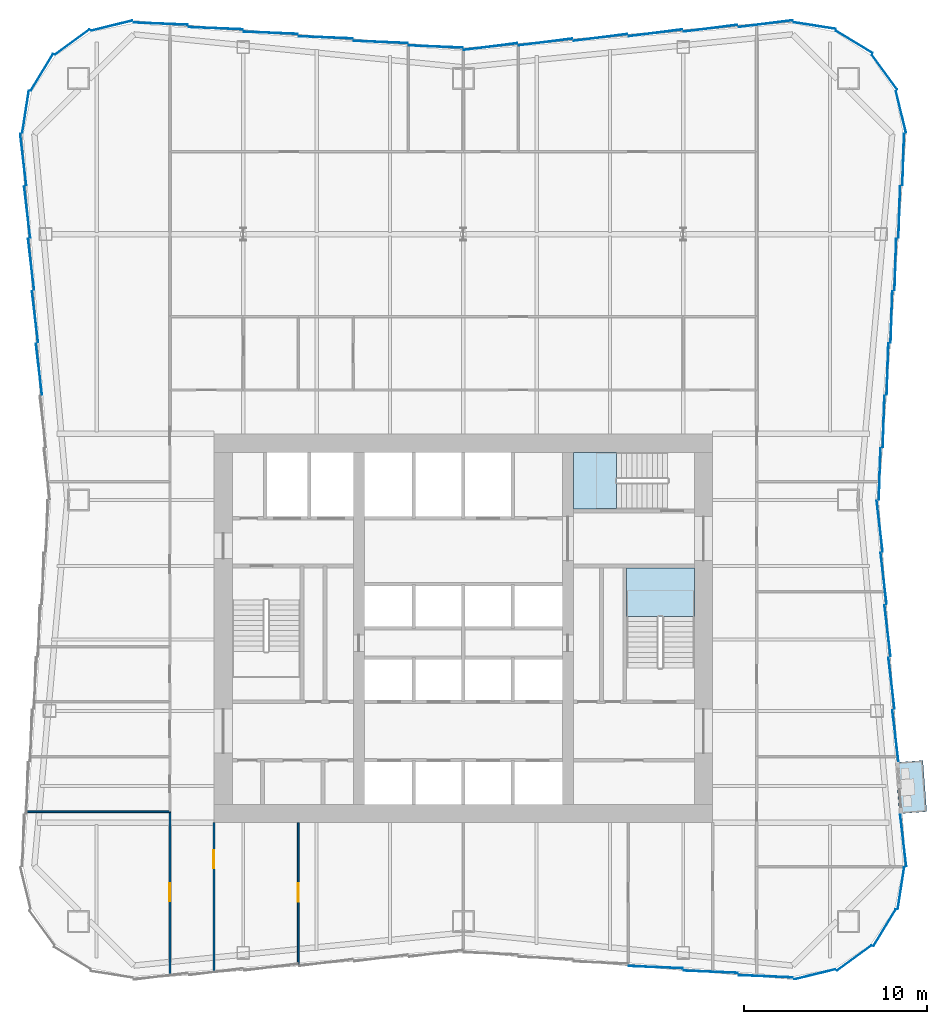
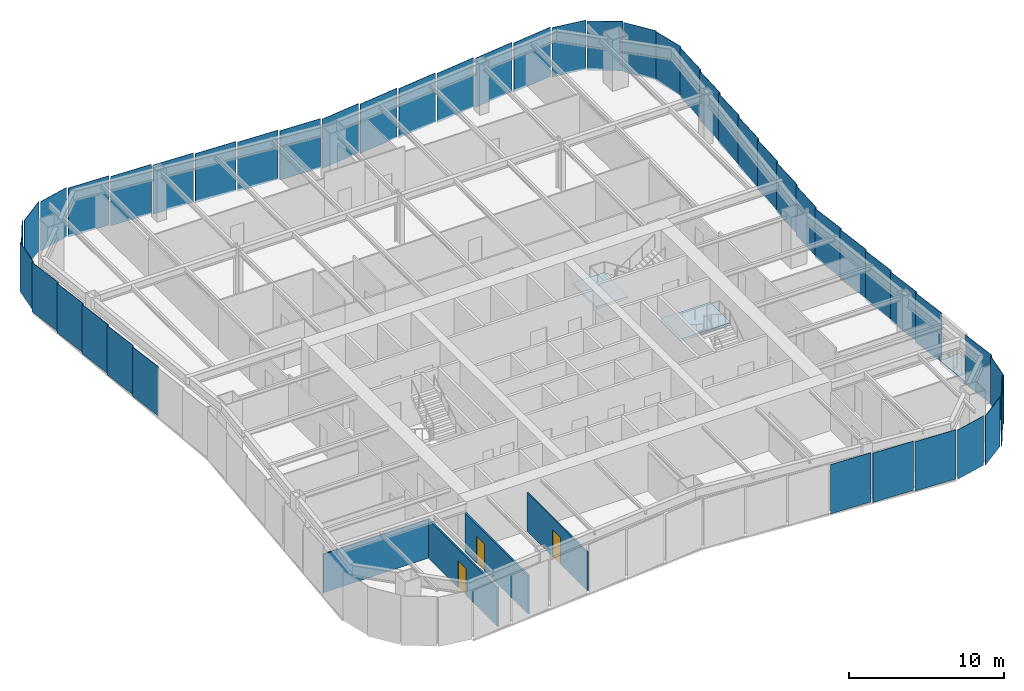
# One storey, part 3 of 9: 45 plates, 4 walls, 3 doors, 3 slabs, 3 openings, 9 elements without a shape of their own.
"""IFC4 building model written with IfcOpenShell, lengths in metres."""

from ifc_helpers import new_model, si_unit, direction, frame, frame_2d, origin, origin_2d, place, context, subcontext, project, spatial, polyline, rectangle, outline, extrude, material, layer, layer_set, type_object, element, fill, aggregate, save


model = new_model("IFC4")

# Units and contexts
model_context = context("Model", 3, precision=1e-05, world=origin(), true_north=direction((0.0, 1.0)))
body_context = subcontext(model_context, "Body", "Model", "MODEL_VIEW")
ifc_project = project(units=[si_unit("LENGTHUNIT", "METRE"), si_unit("AREAUNIT", "SQUARE_METRE"), si_unit("VOLUMEUNIT", "CUBIC_METRE"), si_unit("PLANEANGLEUNIT", "RADIAN"), si_unit("MASSUNIT", "GRAM", prefix="KILO")], contexts=[model_context])

# Site, building, storey
site_placement = place(None, origin())
site = spatial("IfcSite", under=ifc_project, at=site_placement, CompositionType="ELEMENT")
building_placement = place(site_placement, origin())
building = spatial("IfcBuilding", under=site, at=building_placement, Name="Verdant Reach Tower", CompositionType="ELEMENT")
storey_placement = place(building_placement, frame((0.0, 0.0, 130.0)))
storey = spatial("IfcBuildingStorey", under=building, at=storey_placement, Name="L29", CompositionType="ELEMENT", Elevation=130.0)

# Stair, slab
ifc_material_1 = material(Name="Concrete C40/50", Category="concrete")
stair_type = type_object("IfcStairType", Name="CO-STAIR", PredefinedType="HALF_TURN_STAIR", material=ifc_material_1)
stair_1_placement = place(storey_placement, origin())
stair_1 = element("IfcStair", 1, at=stair_1_placement, inside=storey, type_object=stair_type, Name="L29 Exit stair 2", PredefinedType="HALF_TURN_STAIR")
ifc_layer_1 = layer(ifc_material_1, 0.199951171875)
ifc_layer_set_1 = layer_set([ifc_layer_1], Name="CO-STAIR-LANDING")
slab_type_1 = type_object("IfcSlabType", Name="CO-STAIR-LANDING", PredefinedType="LANDING", material=ifc_layer_set_1)
slab_1_placement = place(storey_placement, frame((0.0, 0.0, 1.800048828125)))
slab_1 = element("IfcSlab", 2, at=slab_1_placement, type_object=slab_type_1, Name="ST-2 landing 1", PredefinedType="LANDING", context=body_context, shape_type="SweptSolid", body=[
    extrude(outline(polyline([(12.60009765625, 28.64990234375), (12.60009765625, 31.300048828125), (8.89990234375, 31.300048828125), (8.89990234375, 28.64990234375), (12.60009765625, 28.64990234375)])), origin(), (0.0, 0.0, 1.0), 0.199951171875),
])
aggregate(stair_1, [slab_1])

stair_2_placement = place(storey_placement, origin())
stair_2 = element("IfcStair", 3, at=stair_2_placement, inside=storey, type_object=stair_type, Name="L29 Exit stair 3", PredefinedType="HALF_TURN_STAIR")
slab_2_placement = place(storey_placement, frame((0.0, 0.0, 1.800048828125)))
slab_2 = element("IfcSlab", 4, at=slab_2_placement, type_object=slab_type_1, Name="ST-3 landing 1", PredefinedType="LANDING", context=body_context, shape_type="SweptSolid", body=[
    extrude(outline(polyline([(8.35009765625, 37.60009765625), (6.0, 37.60009765625), (6.0, 34.5), (8.35009765625, 34.5), (8.35009765625, 37.60009765625)])), origin(), (0.0, 0.0, 1.0), 0.199951171875),
])
aggregate(stair_2, [slab_2])

# Slab
ifc_material_2 = material(Name="Concrete C35/45", Category="concrete")
ifc_layer_2 = layer(ifc_material_2, 0.25)
ifc_layer_set_2 = layer_set([ifc_layer_2], Name="EN-BALCONY SLAB")
slab_type_2 = type_object("IfcSlabType", Name="EN-BALCONY SLAB", PredefinedType="FLOOR", material=ifc_layer_set_2)
slab_3_placement = place(storey_placement, frame((0.0, 0.0, -0.25)))
element("IfcSlab", 5, at=slab_3_placement, inside=storey, type_object=slab_type_2, Name="Balcony slab 1, L29", PredefinedType="FLOOR", context=body_context, shape_type="SweptSolid", body=[
    extrude(outline(polyline([(23.783203125, 17.88916015625), (23.57373046875, 20.682373046875), (25.069580078125, 20.794677734375), (25.279052734375, 18.001220703125), (23.783203125, 17.88916015625)])), origin(), (0.0, 0.0, 1.0), 0.25),
])

# Curtain wall, plate
ifc_material_3 = material(Name="Anodised aluminium", Category="aluminium")
curtain_wall_type = type_object("IfcCurtainWallType", Name="EN-CW SYSTEM Z2", PredefinedType="NOTDEFINED", material=ifc_material_3)
curtain_wall_1_placement = place(storey_placement, origin())
curtain_wall_1 = element("IfcCurtainWall", 6, at=curtain_wall_1_placement, inside=storey, type_object=curtain_wall_type, Name="Curtain wall south-east corner, L29", PredefinedType="NOTDEFINED")
ifc_material_4 = material(Name="Tinted glass with champagne spandrel", Category="glass")
ifc_layer_3 = layer(ifc_material_4, 0.031982421875)
ifc_layer_set_3 = layer_set([ifc_layer_3], Name="EN-PANEL CHAMPAGNE")
plate_type_1 = type_object("IfcPlateType", Name="EN-PANEL CHAMPAGNE", PredefinedType="CURTAIN_PANEL", material=ifc_layer_set_3)
plate_1_placement = place(storey_placement, frame((23.87353515625, 13.828369140625, -0.22607421875), z_axis=(0.0, 0.0, 1.0), x_axis=(0.154281290631, 0.988026964896, 0.0)))
plate_1 = element("IfcPlate", 7, at=plate_1_placement, type_object=plate_type_1, Name="Glass panel south-east corner 4.1, L29", PredefinedType="CURTAIN_PANEL", context=body_context, shape_type="SweptSolid", body=[
    extrude(rectangle(XDim=2.316162109375, YDim=0.031982421875, at=origin_2d()), origin(), (0.0, 0.0, 1.0), 3.8759765625),
])

# Curtain wall, plates
curtain_wall_2_placement = place(storey_placement, origin())
curtain_wall_2 = element("IfcCurtainWall", 8, at=curtain_wall_2_placement, inside=storey, type_object=curtain_wall_type, Name="Curtain wall east, L29", PredefinedType="NOTDEFINED")
plate_2_placement = place(storey_placement, frame((23.570068359375, 22.15087890625, -0.22607421875), z_axis=(0.0, 0.0, 1.0), x_axis=(-0.116482717753, 0.993192718693, 0.0)))
plate_2 = element("IfcPlate", 9, at=plate_2_placement, type_object=plate_type_1, Name="Glass panel east face part 1 3.1, L29", PredefinedType="CURTAIN_PANEL", context=body_context, shape_type="SweptSolid", body=[
    extrude(rectangle(XDim=2.80517578125, YDim=0.031982421875, at=origin_2d()), origin(), (0.0, 0.0, 1.0), 3.8759765625),
])
plate_3_placement = place(storey_placement, frame((23.355712890625, 25.0078125, -0.22607421875), z_axis=(0.0, 0.0, 1.0), x_axis=(-0.116482717753, 0.993192718693, 0.0)))
plate_3 = element("IfcPlate", 10, at=plate_3_placement, type_object=plate_type_1, Name="Glass panel east face part 1 4.1, L29", PredefinedType="CURTAIN_PANEL", context=body_context, shape_type="SweptSolid", body=[
    extrude(rectangle(XDim=2.80517578125, YDim=0.031982421875, at=origin_2d()), origin(), (0.0, 0.0, 1.0), 3.8759765625),
])
plate_4_placement = place(storey_placement, frame((23.355712890625, 44.9921875, -0.22607421875), z_axis=(0.0, 0.0, 1.0), x_axis=(0.032965971753, 0.999456474643, 0.0)))
plate_4 = element("IfcPlate", 11, at=plate_4_placement, type_object=plate_type_1, Name="Glass panel east face part 2 4.1, L29", PredefinedType="CURTAIN_PANEL", context=body_context, shape_type="SweptSolid", body=[
    extrude(rectangle(XDim=2.80517578125, YDim=0.031982421875, at=origin_2d()), origin(), (0.0, 0.0, 1.0), 3.8759765625),
])
plate_5_placement = place(storey_placement, frame((23.570068359375, 47.84912109375, -0.22607421875), z_axis=(0.0, 0.0, 1.0), x_axis=(0.032965971753, 0.999456474643, 0.0)))
plate_5 = element("IfcPlate", 12, at=plate_5_placement, type_object=plate_type_1, Name="Glass panel east face part 2 5.1, L29", PredefinedType="CURTAIN_PANEL", context=body_context, shape_type="SweptSolid", body=[
    extrude(rectangle(XDim=2.80517578125, YDim=0.031982421875, at=origin_2d()), origin(), (0.0, 0.0, 1.0), 3.8759765625),
])

curtain_wall_3_placement = place(storey_placement, origin())
curtain_wall_3 = element("IfcCurtainWall", 13, at=curtain_wall_3_placement, inside=storey, type_object=curtain_wall_type, Name="Curtain wall north-east corner, L29", PredefinedType="NOTDEFINED")
plate_6_placement = place(storey_placement, frame((22.9794921875, 58.3271484375, -0.22607421875), z_axis=(0.0, 0.0, 1.0), x_axis=(-0.589926757843, 0.807456760688, 0.0)))
plate_6 = element("IfcPlate", 14, at=plate_6_placement, type_object=plate_type_1, Name="Glass panel north-east corner 2.1, L29", PredefinedType="CURTAIN_PANEL", context=body_context, shape_type="SweptSolid", body=[
    extrude(rectangle(XDim=2.322509765625, YDim=0.031982421875, at=origin_2d()), origin(), (0.0, 0.0, 1.0), 3.8759765625),
])
plate_7_placement = place(storey_placement, frame((21.3271484375, 59.9794921875, -0.22607421875), z_axis=(0.0, 0.0, 1.0), x_axis=(-0.853988694998, 0.520291561353, 0.0)))
plate_7 = element("IfcPlate", 15, at=plate_7_placement, type_object=plate_type_1, Name="Glass panel north-east corner 3.1, L29", PredefinedType="CURTAIN_PANEL", context=body_context, shape_type="SweptSolid", body=[
    extrude(rectangle(XDim=2.322509765625, YDim=0.031982421875, at=origin_2d()), origin(), (0.0, 0.0, 1.0), 3.8759765625),
])
plate_8_placement = place(storey_placement, frame((19.17138671875, 60.87353515625, -0.22607421875), z_axis=(0.0, 0.0, 1.0), x_axis=(-0.988030887576, 0.154256167447, 0.0)))
plate_8 = element("IfcPlate", 16, at=plate_8_placement, type_object=plate_type_1, Name="Glass panel north-east corner 4.1, L29", PredefinedType="CURTAIN_PANEL", context=body_context, shape_type="SweptSolid", body=[
    extrude(rectangle(XDim=2.31640625, YDim=0.031982421875, at=origin_2d()), origin(), (0.0, 0.0, 1.0), 3.8759765625),
])

curtain_wall_4_placement = place(storey_placement, origin())
curtain_wall_4 = element("IfcCurtainWall", 17, at=curtain_wall_4_placement, inside=storey, type_object=curtain_wall_type, Name="Curtain wall north, L29", PredefinedType="NOTDEFINED")
plate_9_placement = place(storey_placement, frame((16.49853515625, 60.980712890625, -0.22607421875), z_axis=(0.0, 0.0, 1.0), x_axis=(-0.992236570309, -0.124364739946, 0.0)))
plate_9 = element("IfcPlate", 18, at=plate_9_placement, type_object=plate_type_1, Name="Glass panel north face part 1 1.1, L29", PredefinedType="CURTAIN_PANEL", context=body_context, shape_type="SweptSolid", body=[
    extrude(rectangle(XDim=2.965087890625, YDim=0.031982421875, at=origin_2d()), origin(), (0.0, 0.0, 1.0), 3.8759765625),
])
plate_10_placement = place(storey_placement, frame((13.4912109375, 60.730712890625, -0.22607421875), z_axis=(0.0, 0.0, 1.0), x_axis=(-0.992194034542, -0.124703639961, 0.0)))
plate_10 = element("IfcPlate", 19, at=plate_10_placement, type_object=plate_type_1, Name="Glass panel north face part 1 2.1, L29", PredefinedType="CURTAIN_PANEL", context=body_context, shape_type="SweptSolid", body=[
    extrude(rectangle(XDim=2.950439453125, YDim=0.031982421875, at=origin_2d()), origin(), (0.0, 0.0, 1.0), 3.8759765625),
])
plate_11_placement = place(storey_placement, frame((-4.4912109375, 59.980712890625, -0.22607421875), z_axis=(0.0, 0.0, 1.0), x_axis=(-0.999149202059, 0.041241629766, 0.0)))
plate_11 = element("IfcPlate", 20, at=plate_11_placement, type_object=plate_type_1, Name="Glass panel north face part 2 2.1, L29", PredefinedType="CURTAIN_PANEL", context=body_context, shape_type="SweptSolid", body=[
    extrude(rectangle(XDim=2.950439453125, YDim=0.031982421875, at=origin_2d()), origin(), (0.0, 0.0, 1.0), 3.8759765625),
])
plate_12_placement = place(storey_placement, frame((-7.4912109375, 60.230712890625, -0.22607421875), z_axis=(0.0, 0.0, 1.0), x_axis=(-0.999149202059, 0.041241629766, 0.0)))
plate_12 = element("IfcPlate", 21, at=plate_12_placement, type_object=plate_type_1, Name="Glass panel north face part 2 3.1, L29", PredefinedType="CURTAIN_PANEL", context=body_context, shape_type="SweptSolid", body=[
    extrude(rectangle(XDim=2.950439453125, YDim=0.031982421875, at=origin_2d()), origin(), (0.0, 0.0, 1.0), 3.8759765625),
])
plate_13_placement = place(storey_placement, frame((-10.4912109375, 60.480712890625, -0.22607421875), z_axis=(0.0, 0.0, 1.0), x_axis=(-0.999149202059, 0.041241629766, 0.0)))
plate_13 = element("IfcPlate", 22, at=plate_13_placement, type_object=plate_type_1, Name="Glass panel north face part 2 4.1, L29", PredefinedType="CURTAIN_PANEL", context=body_context, shape_type="SweptSolid", body=[
    extrude(rectangle(XDim=2.950439453125, YDim=0.031982421875, at=origin_2d()), origin(), (0.0, 0.0, 1.0), 3.8759765625),
])

curtain_wall_5_placement = place(storey_placement, origin())
curtain_wall_5 = element("IfcCurtainWall", 23, at=curtain_wall_5_placement, inside=storey, type_object=curtain_wall_type, Name="Curtain wall north-west corner, L29", PredefinedType="NOTDEFINED")
plate_14_placement = place(storey_placement, frame((-19.17138671875, 60.87353515625, -0.22607421875), z_axis=(0.0, 0.0, 1.0), x_axis=(-0.971657900775, -0.236391463174, 0.0)))
plate_14 = element("IfcPlate", 24, at=plate_14_placement, type_object=plate_type_1, Name="Glass panel north-west corner 1.1, L29", PredefinedType="CURTAIN_PANEL", context=body_context, shape_type="SweptSolid", body=[
    extrude(rectangle(XDim=2.31640625, YDim=0.031982421875, at=origin_2d()), origin(), (0.0, 0.0, 1.0), 3.8759765625),
])
plate_15_placement = place(storey_placement, frame((-21.3271484375, 59.9794921875, -0.22607421875), z_axis=(0.0, 0.0, 1.0), x_axis=(-0.807456760688, -0.589926757843, 0.0)))
plate_15 = element("IfcPlate", 25, at=plate_15_placement, type_object=plate_type_1, Name="Glass panel north-west corner 2.1, L29", PredefinedType="CURTAIN_PANEL", context=body_context, shape_type="SweptSolid", body=[
    extrude(rectangle(XDim=2.322509765625, YDim=0.031982421875, at=origin_2d()), origin(), (0.0, 0.0, 1.0), 3.8759765625),
])

# Curtain wall, plate
curtain_wall_6_placement = place(storey_placement, origin())
curtain_wall_6 = element("IfcCurtainWall", 26, at=curtain_wall_6_placement, inside=storey, type_object=curtain_wall_type, Name="Curtain wall south, L29", PredefinedType="NOTDEFINED")
plate_16_placement = place(storey_placement, frame((16.49853515625, 9.019287109375, -0.22607421875), z_axis=(0.0, 0.0, 1.0), x_axis=(0.999163230224, -0.040900359019, 0.0)))
plate_16 = element("IfcPlate", 27, at=plate_16_placement, type_object=plate_type_1, Name="Glass panel south face part 2 6.1, L29", PredefinedType="CURTAIN_PANEL", context=body_context, shape_type="SweptSolid", body=[
    extrude(rectangle(XDim=2.965087890625, YDim=0.031982421875, at=origin_2d()), origin(), (0.0, 0.0, 1.0), 3.8759765625),
])

# Plate
ifc_material_5 = material(Name="Tinted glass with copper spandrel", Category="glass")
ifc_layer_4 = layer(ifc_material_5, 0.031982421875)
ifc_layer_set_4 = layer_set([ifc_layer_4], Name="EN-PANEL COPPER")
plate_type_2 = type_object("IfcPlateType", Name="EN-PANEL COPPER", PredefinedType="CURTAIN_PANEL", material=ifc_layer_set_4)
plate_17_placement = place(storey_placement, frame((19.17138671875, 9.12646484375, -0.22607421875), z_axis=(0.0, 0.0, 1.0), x_axis=(0.971657900775, 0.236391463174, 0.0)))
plate_17 = element("IfcPlate", 28, at=plate_17_placement, type_object=plate_type_2, Name="Glass panel south-east corner 1.1, L29", PredefinedType="CURTAIN_PANEL", context=body_context, shape_type="SweptSolid", body=[
    extrude(rectangle(XDim=2.31640625, YDim=0.031982421875, at=origin_2d()), origin(), (0.0, 0.0, 1.0), 3.8759765625),
])

plate_18_placement = place(storey_placement, frame((23.141357421875, 27.864990234375, -0.22607421875), z_axis=(0.0, 0.0, 1.0), x_axis=(-0.116482717753, 0.993192718693, 0.0)))
plate_18 = element("IfcPlate", 29, at=plate_18_placement, type_object=plate_type_2, Name="Glass panel east face part 1 5.1, L29", PredefinedType="CURTAIN_PANEL", context=body_context, shape_type="SweptSolid", body=[
    extrude(rectangle(XDim=2.80517578125, YDim=0.031982421875, at=origin_2d()), origin(), (0.0, 0.0, 1.0), 3.8759765625),
])

plate_19_placement = place(storey_placement, frame((22.92724609375, 30.72216796875, -0.22607421875), z_axis=(0.0, 0.0, 1.0), x_axis=(-0.116482717753, 0.993192718693, 0.0)))
plate_19 = element("IfcPlate", 30, at=plate_19_placement, type_object=plate_type_2, Name="Glass panel east face part 1 6.1, L29", PredefinedType="CURTAIN_PANEL", context=body_context, shape_type="SweptSolid", body=[
    extrude(rectangle(XDim=2.80517578125, YDim=0.031982421875, at=origin_2d()), origin(), (0.0, 0.0, 1.0), 3.8759765625),
])

plate_20_placement = place(storey_placement, frame((23.7841796875, 50.706298828125, -0.22607421875), z_axis=(0.0, 0.0, 1.0), x_axis=(0.032965971753, 0.999456474643, 0.0)))
plate_20 = element("IfcPlate", 31, at=plate_20_placement, type_object=plate_type_2, Name="Glass panel east face part 2 6.1, L29", PredefinedType="CURTAIN_PANEL", context=body_context, shape_type="SweptSolid", body=[
    extrude(rectangle(XDim=2.80517578125, YDim=0.031982421875, at=origin_2d()), origin(), (0.0, 0.0, 1.0), 3.8759765625),
])

plate_21_placement = place(storey_placement, frame((23.99853515625, 53.57080078125, -0.22607421875), z_axis=(0.0, 0.0, 1.0), x_axis=(0.032628234484, 0.99946755741, 0.0)))
plate_21 = element("IfcPlate", 32, at=plate_21_placement, type_object=plate_type_2, Name="Glass panel east face part 2 7.1, L29", PredefinedType="CURTAIN_PANEL", context=body_context, shape_type="SweptSolid", body=[
    extrude(rectangle(XDim=2.819580078125, YDim=0.031982421875, at=origin_2d()), origin(), (0.0, 0.0, 1.0), 3.8759765625),
])

plate_22_placement = place(storey_placement, frame((10.4912109375, 60.480712890625, -0.22607421875), z_axis=(0.0, 0.0, 1.0), x_axis=(-0.992194034542, -0.124703639961, 0.0)))
plate_22 = element("IfcPlate", 33, at=plate_22_placement, type_object=plate_type_2, Name="Glass panel north face part 1 3.1, L29", PredefinedType="CURTAIN_PANEL", context=body_context, shape_type="SweptSolid", body=[
    extrude(rectangle(XDim=2.950439453125, YDim=0.031982421875, at=origin_2d()), origin(), (0.0, 0.0, 1.0), 3.8759765625),
])

plate_23_placement = place(storey_placement, frame((7.4912109375, 60.230712890625, -0.22607421875), z_axis=(0.0, 0.0, 1.0), x_axis=(-0.992194034542, -0.124703639961, 0.0)))
plate_23 = element("IfcPlate", 34, at=plate_23_placement, type_object=plate_type_2, Name="Glass panel north face part 1 4.1, L29", PredefinedType="CURTAIN_PANEL", context=body_context, shape_type="SweptSolid", body=[
    extrude(rectangle(XDim=2.950439453125, YDim=0.031982421875, at=origin_2d()), origin(), (0.0, 0.0, 1.0), 3.8759765625),
])

plate_24_placement = place(storey_placement, frame((4.4912109375, 59.980712890625, -0.22607421875), z_axis=(0.0, 0.0, 1.0), x_axis=(-0.992194034542, -0.124703639961, 0.0)))
plate_24 = element("IfcPlate", 35, at=plate_24_placement, type_object=plate_type_2, Name="Glass panel north face part 1 5.1, L29", PredefinedType="CURTAIN_PANEL", context=body_context, shape_type="SweptSolid", body=[
    extrude(rectangle(XDim=2.950439453125, YDim=0.031982421875, at=origin_2d()), origin(), (0.0, 0.0, 1.0), 3.8759765625),
])

plate_25_placement = place(storey_placement, frame((-13.4912109375, 60.730712890625, -0.22607421875), z_axis=(0.0, 0.0, 1.0), x_axis=(-0.999149202059, 0.041241629766, 0.0)))
plate_25 = element("IfcPlate", 36, at=plate_25_placement, type_object=plate_type_2, Name="Glass panel north face part 2 5.1, L29", PredefinedType="CURTAIN_PANEL", context=body_context, shape_type="SweptSolid", body=[
    extrude(rectangle(XDim=2.950439453125, YDim=0.031982421875, at=origin_2d()), origin(), (0.0, 0.0, 1.0), 3.8759765625),
])

plate_26_placement = place(storey_placement, frame((-16.49853515625, 60.980712890625, -0.22607421875), z_axis=(0.0, 0.0, 1.0), x_axis=(-0.999163230224, 0.040900359019, 0.0)))
plate_26 = element("IfcPlate", 37, at=plate_26_placement, type_object=plate_type_2, Name="Glass panel north face part 2 6.1, L29", PredefinedType="CURTAIN_PANEL", context=body_context, shape_type="SweptSolid", body=[
    extrude(rectangle(XDim=2.965087890625, YDim=0.031982421875, at=origin_2d()), origin(), (0.0, 0.0, 1.0), 3.8759765625),
])

plate_27_placement = place(storey_placement, frame((-22.9794921875, 58.3271484375, -0.22607421875), z_axis=(0.0, 0.0, 1.0), x_axis=(-0.520291561353, -0.853988694998, 0.0)))
plate_27 = element("IfcPlate", 38, at=plate_27_placement, type_object=plate_type_2, Name="Glass panel north-west corner 3.1, L29", PredefinedType="CURTAIN_PANEL", context=body_context, shape_type="SweptSolid", body=[
    extrude(rectangle(XDim=2.322509765625, YDim=0.031982421875, at=origin_2d()), origin(), (0.0, 0.0, 1.0), 3.8759765625),
])

plate_28_placement = place(storey_placement, frame((-23.87353515625, 56.171630859375, -0.22607421875), z_axis=(0.0, 0.0, 1.0), x_axis=(-0.154281290631, -0.988026964896, 0.0)))
plate_28 = element("IfcPlate", 39, at=plate_28_placement, type_object=plate_type_2, Name="Glass panel north-west corner 4.1, L29", PredefinedType="CURTAIN_PANEL", context=body_context, shape_type="SweptSolid", body=[
    extrude(rectangle(XDim=2.316162109375, YDim=0.031982421875, at=origin_2d()), origin(), (0.0, 0.0, 1.0), 3.8759765625),
])

aggregate(curtain_wall_5, [plate_14, plate_15, plate_27, plate_28])

# Curtain wall, plates
curtain_wall_7_placement = place(storey_placement, origin())
curtain_wall_7 = element("IfcCurtainWall", 40, at=curtain_wall_7_placement, inside=storey, type_object=curtain_wall_type, Name="Curtain wall west, L29", PredefinedType="NOTDEFINED")
plate_29_placement = place(storey_placement, frame((-23.99853515625, 53.57080078125, -0.22607421875), z_axis=(0.0, 0.0, 1.0), x_axis=(0.116147092358, -0.993232023717, 0.0)))
plate_29 = element("IfcPlate", 41, at=plate_29_placement, type_object=plate_type_2, Name="Glass panel west face part 1 1.1, L29", PredefinedType="CURTAIN_PANEL", context=body_context, shape_type="SweptSolid", body=[
    extrude(rectangle(XDim=2.819580078125, YDim=0.031982421875, at=origin_2d()), origin(), (0.0, 0.0, 1.0), 3.8759765625),
])
plate_30_placement = place(storey_placement, frame((-23.7841796875, 50.706298828125, -0.22607421875), z_axis=(0.0, 0.0, 1.0), x_axis=(0.116482717753, -0.993192718693, 0.0)))
plate_30 = element("IfcPlate", 42, at=plate_30_placement, type_object=plate_type_2, Name="Glass panel west face part 1 2.1, L29", PredefinedType="CURTAIN_PANEL", context=body_context, shape_type="SweptSolid", body=[
    extrude(rectangle(XDim=2.80517578125, YDim=0.031982421875, at=origin_2d()), origin(), (0.0, 0.0, 1.0), 3.8759765625),
])
plate_31_placement = place(storey_placement, frame((-23.570068359375, 47.84912109375, -0.22607421875), z_axis=(0.0, 0.0, 1.0), x_axis=(0.116482717753, -0.993192718693, 0.0)))
plate_31 = element("IfcPlate", 43, at=plate_31_placement, type_object=plate_type_2, Name="Glass panel west face part 1 3.1, L29", PredefinedType="CURTAIN_PANEL", context=body_context, shape_type="SweptSolid", body=[
    extrude(rectangle(XDim=2.80517578125, YDim=0.031982421875, at=origin_2d()), origin(), (0.0, 0.0, 1.0), 3.8759765625),
])

# Plate
ifc_material_6 = material(Name="Tinted glass with dark bronze spandrel", Category="glass")
ifc_layer_5 = layer(ifc_material_6, 0.031982421875)
ifc_layer_set_5 = layer_set([ifc_layer_5], Name="EN-PANEL DARK")
plate_type_3 = type_object("IfcPlateType", Name="EN-PANEL DARK", PredefinedType="CURTAIN_PANEL", material=ifc_layer_set_5)
plate_32_placement = place(storey_placement, frame((21.3271484375, 10.0205078125, -0.22607421875), z_axis=(0.0, 0.0, 1.0), x_axis=(0.807456760688, 0.589926757843, 0.0)))
plate_32 = element("IfcPlate", 44, at=plate_32_placement, type_object=plate_type_3, Name="Glass panel south-east corner 2.1, L29", PredefinedType="CURTAIN_PANEL", context=body_context, shape_type="SweptSolid", body=[
    extrude(rectangle(XDim=2.322509765625, YDim=0.031982421875, at=origin_2d()), origin(), (0.0, 0.0, 1.0), 3.8759765625),
])

plate_33_placement = place(storey_placement, frame((22.9794921875, 11.6728515625, -0.22607421875), z_axis=(0.0, 0.0, 1.0), x_axis=(0.520291561353, 0.853988694998, 0.0)))
plate_33 = element("IfcPlate", 45, at=plate_33_placement, type_object=plate_type_3, Name="Glass panel south-east corner 3.1, L29", PredefinedType="CURTAIN_PANEL", context=body_context, shape_type="SweptSolid", body=[
    extrude(rectangle(XDim=2.322509765625, YDim=0.031982421875, at=origin_2d()), origin(), (0.0, 0.0, 1.0), 3.8759765625),
])

aggregate(curtain_wall_1, [plate_17, plate_32, plate_33, plate_1])

plate_34_placement = place(storey_placement, frame((23.99853515625, 16.42919921875, -0.22607421875), z_axis=(0.0, 0.0, 1.0), x_axis=(-0.116147092358, 0.993232023717, 0.0)))
plate_34 = element("IfcPlate", 46, at=plate_34_placement, type_object=plate_type_3, Name="Glass panel east face part 1 1.1, L29", PredefinedType="CURTAIN_PANEL", context=body_context, shape_type="SweptSolid", body=[
    extrude(rectangle(XDim=2.819580078125, YDim=0.031982421875, at=origin_2d()), origin(), (0.0, 0.0, 1.0), 3.8759765625),
])

plate_35_placement = place(storey_placement, frame((22.712890625, 33.575439453125, -0.22607421875), z_axis=(0.0, 0.0, 1.0), x_axis=(-0.116585911919, 0.993180610535, 0.0)))
plate_35 = element("IfcPlate", 47, at=plate_35_placement, type_object=plate_type_3, Name="Glass panel east face part 1 7.1, L29", PredefinedType="CURTAIN_PANEL", context=body_context, shape_type="SweptSolid", body=[
    extrude(rectangle(XDim=2.797119140625, YDim=0.031982421875, at=origin_2d()), origin(), (0.0, 0.0, 1.0), 3.8759765625),
])

plate_36_placement = place(storey_placement, frame((22.712890625, 36.424560546875, -0.22607421875), z_axis=(0.0, 0.0, 1.0), x_axis=(0.033069817188, 0.999453044015, 0.0)))
plate_36 = element("IfcPlate", 48, at=plate_36_placement, type_object=plate_type_3, Name="Glass panel east face part 2 1.1, L29", PredefinedType="CURTAIN_PANEL", context=body_context, shape_type="SweptSolid", body=[
    extrude(rectangle(XDim=2.797119140625, YDim=0.031982421875, at=origin_2d()), origin(), (0.0, 0.0, 1.0), 3.8759765625),
])

plate_37_placement = place(storey_placement, frame((22.92724609375, 39.27783203125, -0.22607421875), z_axis=(0.0, 0.0, 1.0), x_axis=(0.032965971753, 0.999456474643, 0.0)))
plate_37 = element("IfcPlate", 49, at=plate_37_placement, type_object=plate_type_3, Name="Glass panel east face part 2 2.1, L29", PredefinedType="CURTAIN_PANEL", context=body_context, shape_type="SweptSolid", body=[
    extrude(rectangle(XDim=2.80517578125, YDim=0.031982421875, at=origin_2d()), origin(), (0.0, 0.0, 1.0), 3.8759765625),
])

plate_38_placement = place(storey_placement, frame((23.141357421875, 42.135009765625, -0.22607421875), z_axis=(0.0, 0.0, 1.0), x_axis=(0.032965971753, 0.999456474643, 0.0)))
plate_38 = element("IfcPlate", 50, at=plate_38_placement, type_object=plate_type_3, Name="Glass panel east face part 2 3.1, L29", PredefinedType="CURTAIN_PANEL", context=body_context, shape_type="SweptSolid", body=[
    extrude(rectangle(XDim=2.80517578125, YDim=0.031982421875, at=origin_2d()), origin(), (0.0, 0.0, 1.0), 3.8759765625),
])

aggregate(curtain_wall_2, [plate_34, plate_2, plate_3, plate_18, plate_19, plate_35, plate_36, plate_37, plate_38, plate_4, plate_5, plate_20, plate_21])

plate_39_placement = place(storey_placement, frame((23.87353515625, 56.171630859375, -0.22607421875), z_axis=(0.0, 0.0, 1.0), x_axis=(-0.236416170006, 0.971651889598, 0.0)))
plate_39 = element("IfcPlate", 51, at=plate_39_placement, type_object=plate_type_3, Name="Glass panel north-east corner 1.1, L29", PredefinedType="CURTAIN_PANEL", context=body_context, shape_type="SweptSolid", body=[
    extrude(rectangle(XDim=2.316162109375, YDim=0.031982421875, at=origin_2d()), origin(), (0.0, 0.0, 1.0), 3.8759765625),
])

aggregate(curtain_wall_3, [plate_39, plate_6, plate_7, plate_8])

plate_40_placement = place(storey_placement, frame((1.49560546875, 59.730712890625, -0.22607421875), z_axis=(0.0, 0.0, 1.0), x_axis=(-0.992178815188, -0.12482467181, 0.0)))
plate_40 = element("IfcPlate", 52, at=plate_40_placement, type_object=plate_type_3, Name="Glass panel north face part 1 6.1, L29", PredefinedType="CURTAIN_PANEL", context=body_context, shape_type="SweptSolid", body=[
    extrude(rectangle(XDim=2.941650390625, YDim=0.031982421875, at=origin_2d()), origin(), (0.0, 0.0, 1.0), 3.8759765625),
])

plate_41_placement = place(storey_placement, frame((-1.49560546875, 59.730712890625, -0.22607421875), z_axis=(0.0, 0.0, 1.0), x_axis=(-0.999144163765, 0.041363510662, 0.0)))
plate_41 = element("IfcPlate", 53, at=plate_41_placement, type_object=plate_type_3, Name="Glass panel north face part 2 1.1, L29", PredefinedType="CURTAIN_PANEL", context=body_context, shape_type="SweptSolid", body=[
    extrude(rectangle(XDim=2.941650390625, YDim=0.031982421875, at=origin_2d()), origin(), (0.0, 0.0, 1.0), 3.8759765625),
])

aggregate(curtain_wall_4, [plate_9, plate_10, plate_22, plate_23, plate_24, plate_40, plate_41, plate_11, plate_12, plate_13, plate_25, plate_26])

plate_42_placement = place(storey_placement, frame((-23.355712890625, 44.9921875, -0.22607421875), z_axis=(0.0, 0.0, 1.0), x_axis=(0.116482717753, -0.993192718693, 0.0)))
plate_42 = element("IfcPlate", 54, at=plate_42_placement, type_object=plate_type_3, Name="Glass panel west face part 1 4.1, L29", PredefinedType="CURTAIN_PANEL", context=body_context, shape_type="SweptSolid", body=[
    extrude(rectangle(XDim=2.80517578125, YDim=0.031982421875, at=origin_2d()), origin(), (0.0, 0.0, 1.0), 3.8759765625),
])

plate_43_placement = place(storey_placement, frame((-23.141357421875, 42.135009765625, -0.22607421875), z_axis=(0.0, 0.0, 1.0), x_axis=(0.116482717753, -0.993192718693, 0.0)))
plate_43 = element("IfcPlate", 55, at=plate_43_placement, type_object=plate_type_3, Name="Glass panel west face part 1 5.1, L29", PredefinedType="CURTAIN_PANEL", context=body_context, shape_type="SweptSolid", body=[
    extrude(rectangle(XDim=2.80517578125, YDim=0.031982421875, at=origin_2d()), origin(), (0.0, 0.0, 1.0), 3.8759765625),
])

aggregate(curtain_wall_7, [plate_29, plate_30, plate_31, plate_42, plate_43])

plate_44_placement = place(storey_placement, frame((10.4912109375, 9.519287109375, -0.22607421875), z_axis=(0.0, 0.0, 1.0), x_axis=(0.999149202059, -0.041241629766, 0.0)))
plate_44 = element("IfcPlate", 56, at=plate_44_placement, type_object=plate_type_3, Name="Glass panel south face part 2 4.1, L29", PredefinedType="CURTAIN_PANEL", context=body_context, shape_type="SweptSolid", body=[
    extrude(rectangle(XDim=2.950439453125, YDim=0.031982421875, at=origin_2d()), origin(), (0.0, 0.0, 1.0), 3.8759765625),
])

plate_45_placement = place(storey_placement, frame((13.4912109375, 9.269287109375, -0.22607421875), z_axis=(0.0, 0.0, 1.0), x_axis=(0.999149202059, -0.041241629766, 0.0)))
plate_45 = element("IfcPlate", 57, at=plate_45_placement, type_object=plate_type_3, Name="Glass panel south face part 2 5.1, L29", PredefinedType="CURTAIN_PANEL", context=body_context, shape_type="SweptSolid", body=[
    extrude(rectangle(XDim=2.950439453125, YDim=0.031982421875, at=origin_2d()), origin(), (0.0, 0.0, 1.0), 3.8759765625),
])

aggregate(curtain_wall_6, [plate_44, plate_45, plate_16])

# Wall
ifc_material_7 = material(Name="Gypsum board on steel studs", Category="steel")
ifc_layer_6 = layer(ifc_material_7, 0.10009765625)
ifc_layer_set_6 = layer_set([ifc_layer_6], Name="FL-W1 Partition 100")
wall_type_1 = type_object("IfcWallType", Name="FL-W1 Partition 100", PredefinedType="PARTITIONING", material=ifc_layer_set_6)
wall_1_placement = place(storey_placement, frame((-16.0, 18.0, 0.0), z_axis=(0.0, 0.0, 1.0), x_axis=(-1.0, 0.0, 0.0)))
element("IfcWall", 58, at=wall_1_placement, inside=storey, type_object=wall_type_1, Name="Partition 29.19", PredefinedType="PARTITIONING", context=body_context, shape_type="SweptSolid", body=[
    extrude(rectangle(XDim=7.85498046875, YDim=0.10009765625, at=frame_2d((3.927490234375, 0.0))), origin(), (0.0, 0.0, 1.0), 3.0400390625),
])

# Wall, opening, door
wall_2_placement = place(storey_placement, frame((-9.0, 17.39990234375, 0.0), z_axis=(0.0, 0.0, 1.0), x_axis=(0.0, -1.0, 0.0)))
wall_2 = element("IfcWall", 59, at=wall_2_placement, inside=storey, type_object=wall_type_1, Name="Partition 29.34", PredefinedType="PARTITIONING", context=body_context, shape_type="SweptSolid", body=[
    extrude(rectangle(XDim=7.72998046875, YDim=0.10009765625, at=frame_2d((3.864990234375, 0.0))), origin(), (0.0, 0.0, 1.0), 3.0400390625),
])
opening_1_placement = place(wall_2_placement, frame((3.2998046875, 0.0, 0.0)))
opening_1 = element("IfcOpeningElement", 60, at=opening_1_placement, cuts=wall_2, Name="Opening D3", PredefinedType="OPENING", context=body_context, shape_type="SweptSolid", body=[
    extrude(rectangle(XDim=1.0, YDim=2.10009765625, at=frame_2d((0.5, 1.050048828125))), frame((0.0, 0.06005859375, 0.0), z_axis=(0.0, -1.0, 0.0), x_axis=(1.0, 0.0, 0.0)), (0.0, 0.0, 1.0), 0.1201171875),
])
ifc_material_8 = material(Name="Painted timber door leaf", Category="wood")
door_type_1 = type_object("IfcDoorType", Name="FL-D3 Door 1000x2100", OperationType="NOTDEFINED", PredefinedType="DOOR", material=ifc_material_8)
door_1_placement = place(opening_1_placement, origin())
door_1 = element("IfcDoor", 61, at=door_1_placement, inside=storey, type_object=door_type_1, Name="Door 29-017", OperationType="SINGLE_SWING_LEFT", OverallHeight=2.10009765625, OverallWidth=1.0, PredefinedType="DOOR", context=body_context, shape_type="SweptSolid", body=[
    extrude(rectangle(XDim=1.0, YDim=2.10009765625, at=frame_2d((0.5, 1.050048828125))), frame((0.0, 0.02490234375, 0.0), z_axis=(0.0, -1.0, 0.0), x_axis=(1.0, 0.0, 0.0)), (0.0, 0.0, 1.0), 0.050048828125),
])
fill(opening_1, door_1)

ifc_material_9 = material(Name="Gypsum board on steel studs, fire rated", Category="steel")
ifc_layer_7 = layer(ifc_material_9, 0.125)
ifc_layer_set_7 = layer_set([ifc_layer_7], Name="FL-W2 Corridor wall 125")
wall_type_2 = type_object("IfcWallType", Name="FL-W2 Corridor wall 125", PredefinedType="PARTITIONING", material=ifc_layer_set_7)
wall_3_placement = place(storey_placement, frame((-16.0, 9.086669921875, 0.0), z_axis=(0.0, 0.0, 1.0), x_axis=(0.0, 1.0, 0.0)))
wall_3 = element("IfcWall", 62, at=wall_3_placement, inside=storey, type_object=wall_type_2, Name="Partition 29.01", PredefinedType="PARTITIONING", context=body_context, shape_type="SweptSolid", body=[
    extrude(rectangle(XDim=8.913330078125, YDim=0.125, at=frame_2d((4.45654296875, 0.0))), origin(), (0.0, 0.0, 1.0), 3.0400390625),
])
opening_2_placement = place(wall_3_placement, frame((4.021728515625, 0.0, 0.0)))
opening_2 = element("IfcOpeningElement", 63, at=opening_2_placement, cuts=wall_3, Name="Opening D2", PredefinedType="OPENING", context=body_context, shape_type="SweptSolid", body=[
    extrude(rectangle(XDim=1.0, YDim=2.10009765625, at=frame_2d((0.5, 1.050048828125))), frame((0.0, 0.072509765625, 0.0), z_axis=(0.0, -1.0, 0.0), x_axis=(1.0, 0.0, 0.0)), (0.0, 0.0, 1.0), 0.14501953125),
])
ifc_material_10 = material(Name="Timber door leaf, fire rated", Category="wood")
door_type_2 = type_object("IfcDoorType", Name="FL-D2 Entrance door 1000x2100 FD30", OperationType="NOTDEFINED", PredefinedType="DOOR", material=ifc_material_10)
door_2_placement = place(opening_2_placement, origin())
door_2 = element("IfcDoor", 64, at=door_2_placement, inside=storey, type_object=door_type_2, Name="Door 29-001", OperationType="SINGLE_SWING_RIGHT", OverallHeight=2.10009765625, OverallWidth=1.0, PredefinedType="DOOR", context=body_context, shape_type="SweptSolid", body=[
    extrude(rectangle(XDim=1.0, YDim=2.10009765625, at=frame_2d((0.5, 1.050048828125))), frame((0.0, 0.02490234375, 0.0), z_axis=(0.0, -1.0, 0.0), x_axis=(1.0, 0.0, 0.0)), (0.0, 0.0, 1.0), 0.050048828125),
])
fill(opening_2, door_2)

wall_4_placement = place(storey_placement, frame((-13.60009765625, 17.39990234375, 0.0), z_axis=(0.0, 0.0, 1.0), x_axis=(0.0, -1.0, 0.0)))
wall_4 = element("IfcWall", 65, at=wall_4_placement, inside=storey, type_object=wall_type_2, Name="Partition 29.12", PredefinedType="PARTITIONING", context=body_context, shape_type="SweptSolid", body=[
    extrude(rectangle(XDim=8.11328125, YDim=0.125, at=frame_2d((4.056640625, 0.0))), origin(), (0.0, 0.0, 1.0), 3.0400390625),
])
opening_3_placement = place(wall_4_placement, frame((1.49169921875, 0.0, 0.0)))
opening_3 = element("IfcOpeningElement", 66, at=opening_3_placement, cuts=wall_4, Name="Opening D2", PredefinedType="OPENING", context=body_context, shape_type="SweptSolid", body=[
    extrude(rectangle(XDim=1.0, YDim=2.10009765625, at=frame_2d((0.5, 1.050048828125))), frame((0.0, 0.072509765625, 0.0), z_axis=(0.0, -1.0, 0.0), x_axis=(1.0, 0.0, 0.0)), (0.0, 0.0, 1.0), 0.14501953125),
])
door_3_placement = place(opening_3_placement, origin())
door_3 = element("IfcDoor", 67, at=door_3_placement, inside=storey, type_object=door_type_2, Name="Door 29-012", OperationType="SINGLE_SWING_LEFT", OverallHeight=2.10009765625, OverallWidth=1.0, PredefinedType="DOOR", context=body_context, shape_type="SweptSolid", body=[
    extrude(rectangle(XDim=1.0, YDim=2.10009765625, at=frame_2d((0.5, 1.050048828125))), frame((0.0, 0.02490234375, 0.0), z_axis=(0.0, -1.0, 0.0), x_axis=(1.0, 0.0, 0.0)), (0.0, 0.0, 1.0), 0.050048828125),
])
fill(opening_3, door_3)

save(model, "model.ifc")
